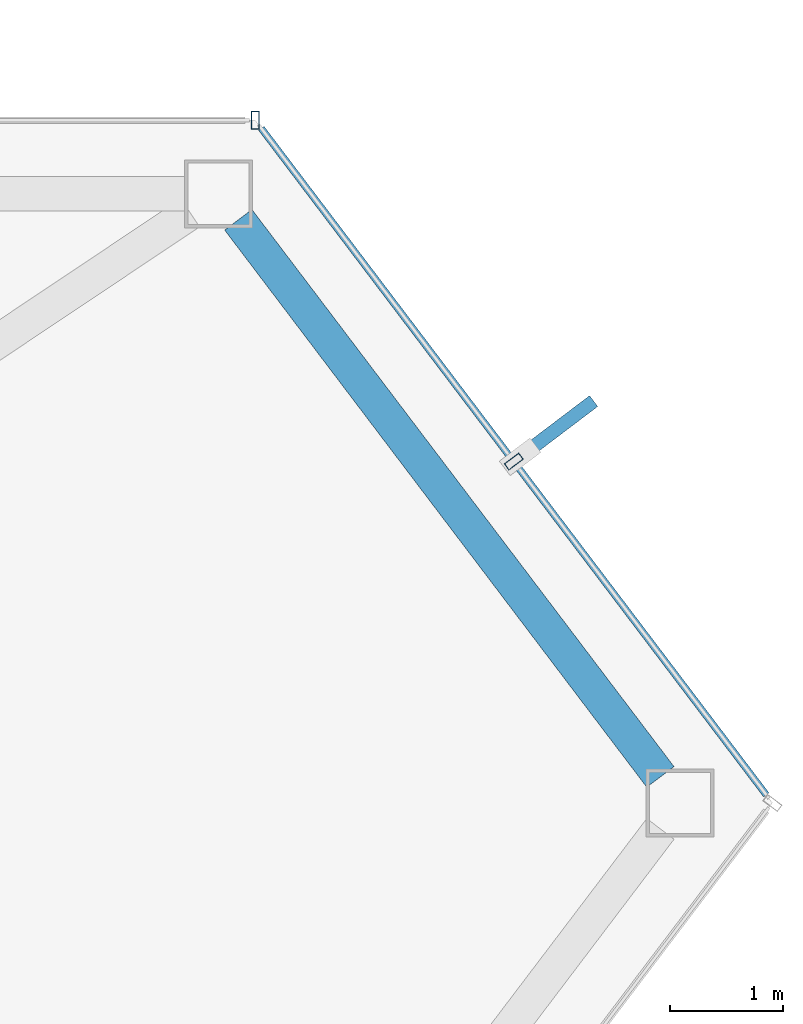
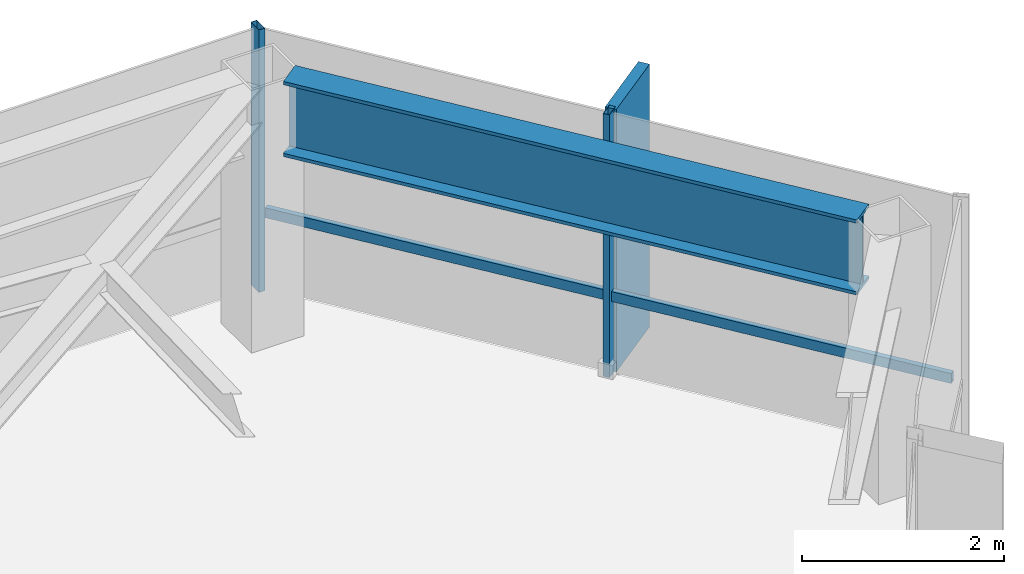
# One storey, part 20 of 25: 4 members, 1 beam, 2 elements without a shape of their own.
"""IFC4 building model written with IfcOpenShell, lengths in metres."""

from ifc_helpers import new_model, si_unit, direction, frame, origin, origin_2d, place, context, subcontext, project, spatial, rectangle, hollow_rectangle, i_section, extrude, material, layer, layer_set, material_profile, profile_set, type_object, element, aggregate, save


model = new_model("IFC4")

# Units and contexts
model_context = context("Model", 3, precision=1e-05, world=origin(), true_north=direction((0.0, 1.0)))
body_context = subcontext(model_context, "Body", "Model", "MODEL_VIEW")
ifc_project = project(units=[si_unit("LENGTHUNIT", "METRE"), si_unit("AREAUNIT", "SQUARE_METRE"), si_unit("VOLUMEUNIT", "CUBIC_METRE"), si_unit("PLANEANGLEUNIT", "RADIAN"), si_unit("MASSUNIT", "GRAM", prefix="KILO")], contexts=[model_context])

# Site, building, storey
site_placement = place(None, origin())
site = spatial("IfcSite", under=ifc_project, at=site_placement, CompositionType="ELEMENT")
building_placement = place(site_placement, origin())
building = spatial("IfcBuilding", under=site, at=building_placement, Name="Zarrinselat Tower", CompositionType="ELEMENT")
storey_placement = place(building_placement, frame((0.0, 0.0, 239.360107421875)))
storey = spatial("IfcBuildingStorey", under=building, at=storey_placement, Name="L60", CompositionType="ELEMENT", Elevation=239.360107421875)

# Beam
ifc_material_1 = material(Name="Steel S460M", Category="steel")
ifc_material_profile_1 = material_profile(ifc_material_1, i_section(OverallWidth=0.302001953125, OverallDepth=0.909912109375, WebThickness=0.02099609375, FlangeThickness=0.0400390625, at=origin_2d()), Name="HEM 900")
ifc_profile_set_1 = profile_set([ifc_material_profile_1], Name="Steel S460M")
beam_type = type_object("IfcBeamType", Name="BM-HEM900", PredefinedType="BEAM", material=ifc_profile_set_1)
beam_placement = place(storey_placement, frame((56.91943359375, 47.181396484375, 2.724853515625), z_axis=(0.603890426248, -0.79706734539, 0.0), x_axis=(0.79706734539, 0.603890426248, 0.0)))
element("IfcBeam", 1, at=beam_placement, inside=storey, type_object=beam_type, Name="L60 Perimeter Spandrel Girder SP15", PredefinedType="BEAM", context=body_context, shape_type="SweptSolid", body=[
    extrude(i_section(OverallWidth=0.302001953125, OverallDepth=0.909912109375, WebThickness=0.02099609375, FlangeThickness=0.0400390625, at=origin_2d()), origin(), (0.0, 0.0, 1.0), 6.173828125),
])

# Curtain wall, member
ifc_material_2 = material(Name="Extruded Aluminium Alloy EN AW-6063 T6", Category="aluminium")
ifc_layer = layer(ifc_material_2, 0.169921875)
ifc_layer_set = layer_set([ifc_layer], Name="Extruded Aluminium Alloy EN AW-6063 T6")
curtain_wall_type = type_object("IfcCurtainWallType", Name="CWS-RES", PredefinedType="NOTDEFINED", material=ifc_layer_set)
curtain_wall_1_placement = place(storey_placement, origin())
curtain_wall_1 = element("IfcCurtainWall", 2, at=curtain_wall_1_placement, inside=storey, type_object=curtain_wall_type, Name="L60 Unitised Curtain Wall CW-L60-E01", PredefinedType="NOTDEFINED")
ifc_material_3 = material(Name="Extruded Aluminium Alloy EN AW-6063 T6", Category="aluminium")
ifc_material_profile_2 = material_profile(ifc_material_3, hollow_rectangle(XDim=0.070068359375, YDim=0.159912109375, WallThickness=0.00390625, at=origin_2d()), Name="RHS 160x70x4")
ifc_profile_set_2 = profile_set([ifc_material_profile_2], Name="Extruded Aluminium Alloy EN AW-6063 T6")
member_type_1 = type_object("IfcMemberType", Name="MEM-CW-MUL2", PredefinedType="MULLION", material=ifc_profile_set_2)
member_1_placement = place(storey_placement, frame((57.068603515625, 48.06103515625, 0.0), z_axis=(0.0, 0.0, 1.0), x_axis=(-1.0, 0.0, 0.0)))
member_1 = element("IfcMember", 3, at=member_1_placement, type_object=member_type_1, Name="CW-L60-E01 Mullion 0", PredefinedType="MULLION", context=body_context, shape_type="SweptSolid", body=[
    extrude(hollow_rectangle(XDim=0.070068359375, YDim=0.159912109375, WallThickness=0.00390625, at=origin_2d()), origin(), (0.0, 0.0, 1.0), 3.179931640625),
])
aggregate(curtain_wall_1, [member_1])

# Curtain wall, members
curtain_wall_2_placement = place(storey_placement, origin())
curtain_wall_2 = element("IfcCurtainWall", 4, at=curtain_wall_2_placement, inside=storey, type_object=curtain_wall_type, Name="L60 Unitised Curtain Wall CW-L60-E06", PredefinedType="NOTDEFINED")
member_2_placement = place(storey_placement, frame((59.352783203125, 45.0458984375, 0.0), z_axis=(0.0, 0.0, 1.0), x_axis=(-0.603865322642, 0.797086364274, 0.0)))
member_2 = element("IfcMember", 5, at=member_2_placement, type_object=member_type_1, Name="CW-L60-E06 Mullion 1", PredefinedType="MULLION", context=body_context, shape_type="SweptSolid", body=[
    extrude(hollow_rectangle(XDim=0.070068359375, YDim=0.159912109375, WallThickness=0.00390625, at=origin_2d()), origin(), (0.0, 0.0, 1.0), 3.179931640625),
])
ifc_material_4 = material(Name="Extruded Aluminium Alloy EN AW-6063 T6", Category="aluminium")
ifc_material_profile_3 = material_profile(ifc_material_4, hollow_rectangle(XDim=0.06005859375, YDim=0.1201171875, WallThickness=0.00390625, at=origin_2d()), Name="RHS 120x60x4")
ifc_profile_set_3 = profile_set([ifc_material_profile_3], Name="Extruded Aluminium Alloy EN AW-6063 T6")
member_type_2 = type_object("IfcMemberType", Name="MEM-CW-TRN2", PredefinedType="USERDEFINED", material=ifc_profile_set_3)
member_3_placement = place(storey_placement, frame((61.582763671875, 42.1025390625, 0.949951171875), z_axis=(-0.603869780229, 0.797082987227, 0.0), x_axis=(-0.797082987227, -0.603869780229, 0.0)))
member_3 = element("IfcMember", 6, at=member_3_placement, type_object=member_type_2, Name="CW-L60-E06 Transom 1", ObjectType="TRANSOM", PredefinedType="USERDEFINED", context=body_context, shape_type="SweptSolid", body=[
    extrude(hollow_rectangle(XDim=0.06005859375, YDim=0.1201171875, WallThickness=0.00390625, at=origin_2d()), origin(), (0.0, 0.0, 1.0), 7.3857421875),
])
ifc_material_5 = material(Name="Honed Cream Travertine Stone", Category="masonry")
ifc_material_profile_4 = material_profile(ifc_material_5, rectangle(XDim=0.1201171875, YDim=0.85009765625, at=origin_2d()), Name="FIN 850x120")
ifc_profile_set_4 = profile_set([ifc_material_profile_4], Name="Honed Cream Travertine Stone")
member_type_3 = type_object("IfcMemberType", Name="MEM-STONE-FIN", PredefinedType="USERDEFINED", material=ifc_profile_set_4)
member_4_placement = place(storey_placement, frame((59.719482421875, 45.32373046875, 0.0), z_axis=(0.0, 0.0, 1.0), x_axis=(0.603865322642, -0.797086364274, 0.0)))
member_4 = element("IfcMember", 7, at=member_4_placement, type_object=member_type_3, Name="L60 Stone Shading Fin CW-L60-E06-01", ObjectType="FIN", PredefinedType="USERDEFINED", context=body_context, shape_type="SweptSolid", body=[
    extrude(rectangle(XDim=0.1201171875, YDim=0.85009765625, at=origin_2d()), origin(), (0.0, 0.0, 1.0), 3.179931640625),
])
aggregate(curtain_wall_2, [member_2, member_4, member_3])

save(model, "model.ifc")
